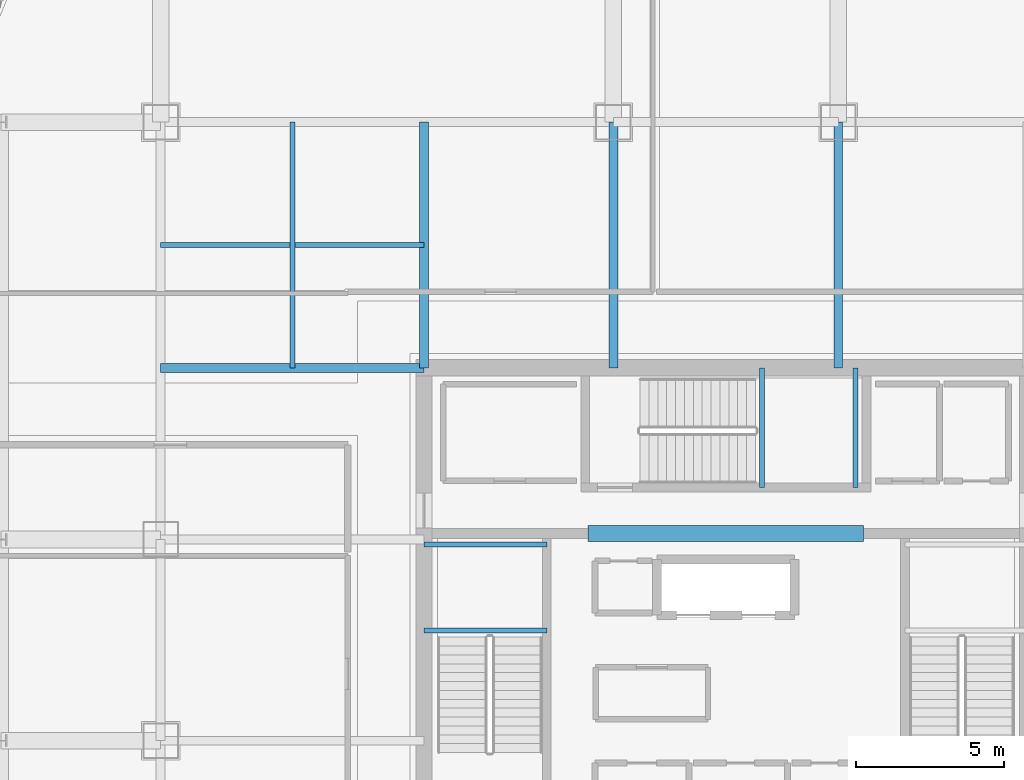
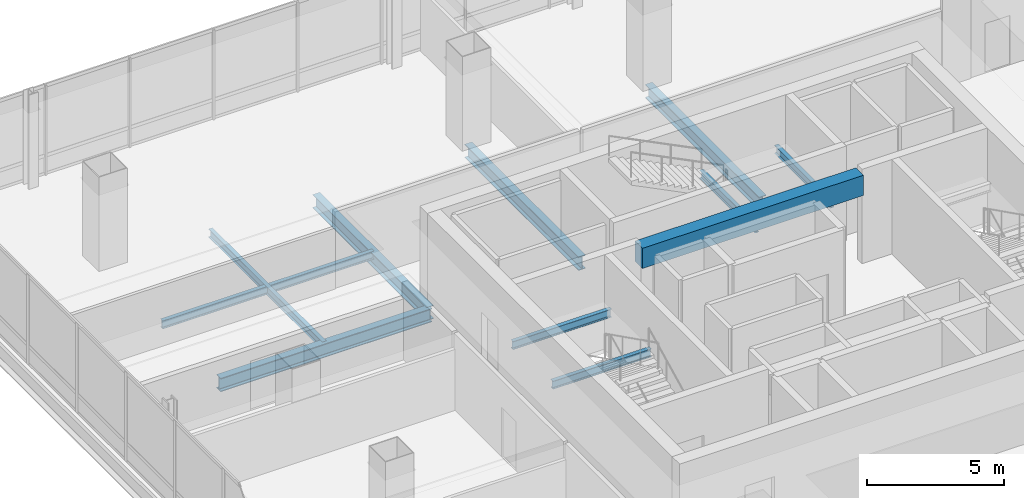
# One storey, part 14 of 41: 11 beams.
"""IFC4 building model written with IfcOpenShell, lengths in metres."""

from ifc_helpers import new_model, si_unit, direction, frame, origin, origin_2d, place, context, subcontext, project, spatial, rectangle, i_section, extrude, material, material_profile, profile_set, type_object, element, save


model = new_model("IFC4")

# Units and contexts
model_context = context("Model", 3, precision=1e-05, world=origin(), true_north=direction((0.0, 1.0)))
body_context = subcontext(model_context, "Body", "Model", "MODEL_VIEW")
ifc_project = project(units=[si_unit("LENGTHUNIT", "METRE"), si_unit("AREAUNIT", "SQUARE_METRE"), si_unit("VOLUMEUNIT", "CUBIC_METRE"), si_unit("PLANEANGLEUNIT", "RADIAN"), si_unit("MASSUNIT", "GRAM", prefix="KILO")], contexts=[model_context])

# Site, building, storey
site_placement = place(None, origin())
site = spatial("IfcSite", under=ifc_project, at=site_placement, CompositionType="ELEMENT")
building_placement = place(site_placement, origin())
building = spatial("IfcBuilding", under=site, at=building_placement, Name="Punatoya Terracotta Tower", CompositionType="ELEMENT")
storey_placement = place(building_placement, frame((0.0, 0.0, 309.0)))
storey = spatial("IfcBuildingStorey", under=building, at=storey_placement, Name="L73", CompositionType="ELEMENT", Elevation=309.0)

# Beams
ifc_material_1 = material(Name="Steel S355", Category="steel")
ifc_material_profile_1 = material_profile(ifc_material_1, i_section(OverallWidth=0.300048828125, OverallDepth=0.60009765625, WebThickness=0.015380859375, FlangeThickness=0.030029296875, FilletRadius=0.01806640625, at=origin_2d()))
ifc_profile_set_1 = profile_set([ifc_material_profile_1], Name="Steel S355")
beam_type_1 = type_object("IfcBeamType", Name="BM-PRI-600", PredefinedType="BEAM", material=ifc_profile_set_1)
beam_1_placement = place(storey_placement, frame((-19.10009765625, 9.199951171875, -0.5), z_axis=(1.0, 0.0, 0.0), x_axis=(0.0, 1.0, 0.0)))
element("IfcBeam", 1, at=beam_1_placement, inside=storey, type_object=beam_type_1, Name="BM-L73-PR-WN", PredefinedType="BEAM", context=body_context, shape_type="SweptSolid", body=[
    extrude(i_section(OverallWidth=0.300048828125, OverallDepth=0.60009765625, WebThickness=0.015380859375, FlangeThickness=0.030029296875, FilletRadius=0.01806640625, at=origin_2d()), origin(), (0.0, 0.0, 1.0), 8.900146484375),
])
for number, where, z_axis, x_axis, name in (
    (2, (-10.199951171875, 9.199951171875, -0.5), (0.0, 1.0, 0.0), (-1.0, 0.0, 0.0), "BM-L73-PR-N1"),
    (3, (-3.800048828125, 9.199951171875, -0.5), (0.0, 1.0, 0.0), (-1.0, 0.0, 0.0), "BM-L73-PR-N2"),
    (4, (3.800048828125, 9.199951171875, -0.5), (0.0, 1.0, 0.0), (-1.0, 0.0, 0.0), "BM-L73-PR-N3"),
):
    element("IfcBeam", number, at=place(storey_placement, frame(where, z_axis=z_axis, x_axis=x_axis)), inside=storey, type_object=beam_type_1, Name=name, PredefinedType="BEAM", context=body_context, shape_type="SweptSolid", body=[
        extrude(i_section(OverallWidth=0.300048828125, OverallDepth=0.60009765625, WebThickness=0.015380859375, FlangeThickness=0.030029296875, FilletRadius=0.01806640625, at=origin_2d()), origin(), (0.0, 0.0, 1.0), 8.300048828125),
    ])
ifc_material_2 = material(Name="Concrete C50/60", Category="concrete")
ifc_material_profile_2 = material_profile(ifc_material_2, rectangle(XDim=0.550048828125, YDim=0.89990234375, at=origin_2d()))
ifc_profile_set_2 = profile_set([ifc_material_profile_2], Name="Concrete C50/60")
beam_type_2 = type_object("IfcBeamType", Name="BM-RC-900", PredefinedType="LINTEL", material=ifc_profile_set_2)
beam_2_placement = place(storey_placement, frame((-4.64990234375, 3.60009765625, 3.550048828125), z_axis=(1.0, 0.0, 0.0), x_axis=(0.0, 1.0, 0.0)))
element("IfcBeam", 5, at=beam_2_placement, inside=storey, type_object=beam_type_2, Name="L73 Core Coupling Lintel CNW", PredefinedType="LINTEL", context=body_context, shape_type="SweptSolid", body=[
    extrude(rectangle(XDim=0.550048828125, YDim=0.89990234375, at=origin_2d()), origin(), (0.0, 0.0, 1.0), 9.2998046875),
])
ifc_material_profile_3 = material_profile(ifc_material_1, i_section(OverallWidth=0.169921875, OverallDepth=0.360107421875, WebThickness=0.008056640625, FlangeThickness=0.0126953125, FilletRadius=0.01806640625, at=origin_2d()))
ifc_profile_set_3 = profile_set([ifc_material_profile_3], Name="Steel S355")
beam_type_3 = type_object("IfcBeamType", Name="BM-SEC-360", PredefinedType="JOIST", material=ifc_profile_set_3)
beam_3_placement = place(storey_placement, frame((-19.10009765625, 13.35009765625, -0.3798828125), z_axis=(1.0, 0.0, 0.0), x_axis=(0.0, 1.0, 0.0)))
element("IfcBeam", 6, at=beam_3_placement, inside=storey, type_object=beam_type_3, Name="BM-L73-SJN-1", PredefinedType="JOIST", context=body_context, shape_type="SweptSolid", body=[
    extrude(i_section(OverallWidth=0.169921875, OverallDepth=0.360107421875, WebThickness=0.008056640625, FlangeThickness=0.0126953125, FilletRadius=0.01806640625, at=origin_2d()), origin(), (0.0, 0.0, 1.0), 8.900146484375),
])
beam_4_placement = place(storey_placement, frame((-14.64990234375, 9.199951171875, -0.3798828125), z_axis=(0.0, 1.0, 0.0), x_axis=(-1.0, 0.0, 0.0)))
element("IfcBeam", 7, at=beam_4_placement, inside=storey, type_object=beam_type_3, Name="BM-L73-SJW-2", PredefinedType="JOIST", context=body_context, shape_type="SweptSolid", body=[
    extrude(i_section(OverallWidth=0.169921875, OverallDepth=0.360107421875, WebThickness=0.008056640625, FlangeThickness=0.0126953125, FilletRadius=0.01806640625, at=origin_2d()), origin(), (0.0, 0.0, 1.0), 8.300048828125),
])
for number, where, z_axis, x_axis, name in (
    (8, (-10.199951171875, 0.320068359375, 1.719970703125), (1.0, 0.0, 0.0), (0.0, 1.0, 0.0), "BM-L73-ST-1-LD1A"),
    (9, (-10.199951171875, 3.22998046875, 1.719970703125), (1.0, 0.0, 0.0), (0.0, 1.0, 0.0), "BM-L73-ST-1-LD1B"),
):
    element("IfcBeam", number, at=place(storey_placement, frame(where, z_axis=z_axis, x_axis=x_axis)), inside=storey, type_object=beam_type_3, Name=name, PredefinedType="JOIST", context=body_context, shape_type="SweptSolid", body=[
        extrude(i_section(OverallWidth=0.169921875, OverallDepth=0.360107421875, WebThickness=0.008056640625, FlangeThickness=0.0126953125, FilletRadius=0.01806640625, at=origin_2d()), origin(), (0.0, 0.0, 1.0), 4.14990234375),
    ])
for number, where, z_axis, x_axis, name in (
    (10, (1.219970703125, 5.14990234375, 1.719970703125), (0.0, 1.0, 0.0), (-1.0, 0.0, 0.0), "BM-L73-ST-3-LD1A"),
    (11, (4.3798828125, 5.14990234375, 1.719970703125), (0.0, 1.0, 0.0), (-1.0, 0.0, 0.0), "BM-L73-ST-3-LD1B"),
):
    element("IfcBeam", number, at=place(storey_placement, frame(where, z_axis=z_axis, x_axis=x_axis)), inside=storey, type_object=beam_type_3, Name=name, PredefinedType="JOIST", context=body_context, shape_type="SweptSolid", body=[
        extrude(i_section(OverallWidth=0.169921875, OverallDepth=0.360107421875, WebThickness=0.008056640625, FlangeThickness=0.0126953125, FilletRadius=0.01806640625, at=origin_2d()), origin(), (0.0, 0.0, 1.0), 4.050048828125),
    ])

save(model, "model.ifc")
